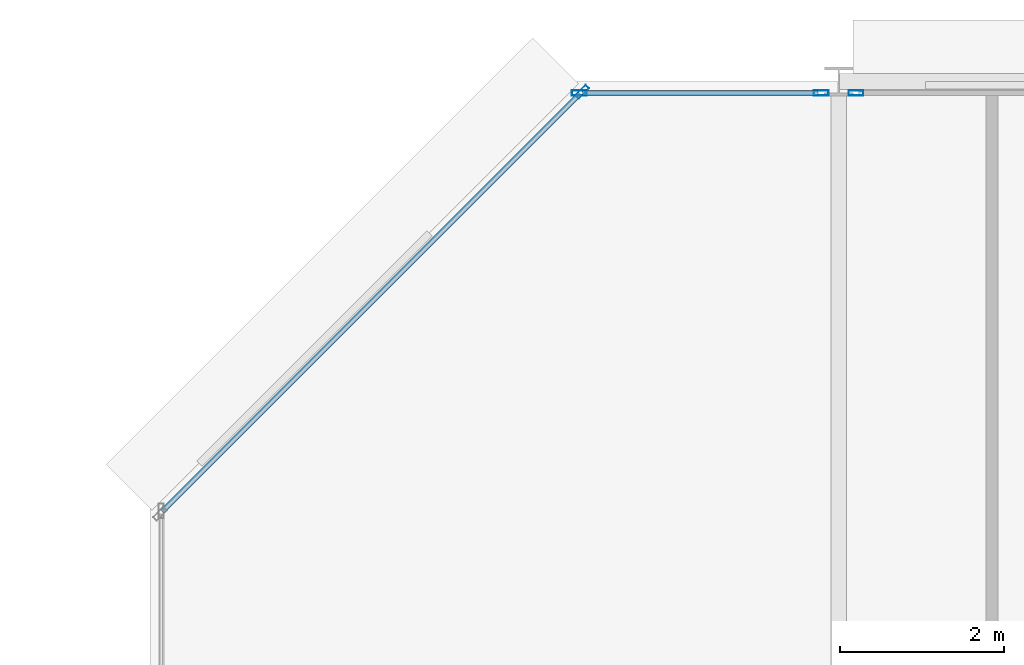
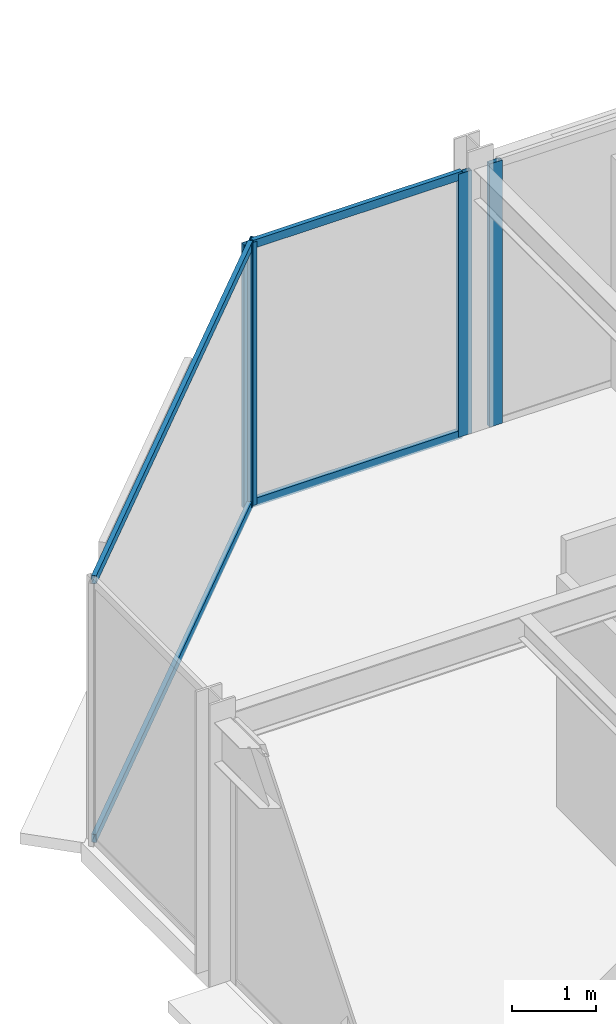
# One storey, part 20 of 29: 8 members, 3 elements without a shape of their own.
"""IFC4 building model written with IfcOpenShell, lengths in metres."""

from ifc_helpers import new_model, si_unit, direction, frame, origin, origin_2d, place, context, subcontext, project, spatial, hollow_rectangle, extrude, material, layer, layer_set, material_profile, profile_set, type_object, element, aggregate, save


model = new_model("IFC4")

# Units and contexts
model_context = context("Model", 3, precision=1e-05, world=origin(), true_north=direction((0.0, 1.0)))
body_context = subcontext(model_context, "Body", "Model", "MODEL_VIEW")
ifc_project = project(units=[si_unit("LENGTHUNIT", "METRE"), si_unit("AREAUNIT", "SQUARE_METRE"), si_unit("VOLUMEUNIT", "CUBIC_METRE"), si_unit("PLANEANGLEUNIT", "RADIAN"), si_unit("MASSUNIT", "GRAM", prefix="KILO")], contexts=[model_context])

# Site, building, storey
site_placement = place(None, origin())
site = spatial("IfcSite", under=ifc_project, at=site_placement, CompositionType="ELEMENT")
building_placement = place(site_placement, origin())
building = spatial("IfcBuilding", under=site, at=building_placement, Name="Nerrivon Quay Data Exchange", CompositionType="ELEMENT")
storey_placement = place(building_placement, frame((0.0, 0.0, 179.60009765625)))
storey = spatial("IfcBuildingStorey", under=building, at=storey_placement, Name="L42", CompositionType="ELEMENT", Elevation=179.60009765625)

# Curtain wall, member
ifc_material = material(Name="Anodised aluminium 6063-T6", Category="aluminium")
ifc_layer = layer(ifc_material, 0.195068359375)
ifc_layer_set = layer_set([ifc_layer], Name="Anodised aluminium 6063-T6")
curtain_wall_type = type_object("IfcCurtainWallType", Name="CW-SYS-06", PredefinedType="NOTDEFINED", material=ifc_layer_set)
curtain_wall_1_placement = place(storey_placement, origin())
curtain_wall_1 = element("IfcCurtainWall", 1, at=curtain_wall_1_placement, inside=storey, type_object=curtain_wall_type, Name="L42 Unitised Curtain Wall 7", PredefinedType="NOTDEFINED")
ifc_material_profile_1 = material_profile(ifc_material, hollow_rectangle(XDim=0.06494140625, YDim=0.179931640625, WallThickness=0.00341796875, at=origin_2d()), Name="ALU-MULL-180x65")
ifc_profile_set_1 = profile_set([ifc_material_profile_1], Name="Anodised aluminium 6063-T6")
member_type_1 = type_object("IfcMemberType", Name="CWM-180x65", PredefinedType="MULLION", material=ifc_profile_set_1)
member_1_placement = place(storey_placement, frame((5.2724609375, 50.2744140625, 0.0), z_axis=(0.0, 0.0, 1.0), x_axis=(-0.707106781187, 0.707106781187, 0.0)))
member_1 = element("IfcMember", 2, at=member_1_placement, type_object=member_type_1, Name="CW06 mullion 2", PredefinedType="MULLION", context=body_context, shape_type="SweptSolid", body=[
    extrude(hollow_rectangle(XDim=0.06494140625, YDim=0.179931640625, WallThickness=0.00341796875, at=origin_2d()), origin(), (0.0, 0.0, 1.0), 3.824951171875),
])

# Curtain wall, members
curtain_wall_2_placement = place(storey_placement, origin())
curtain_wall_2 = element("IfcCurtainWall", 3, at=curtain_wall_2_placement, inside=storey, type_object=curtain_wall_type, Name="L42 Unitised Curtain Wall 8", PredefinedType="NOTDEFINED")
member_2_placement = place(storey_placement, frame((5.237548828125, 50.260009765625, 0.0), z_axis=(0.0, 0.0, 1.0), x_axis=(0.0, 1.0, 0.0)))
member_2 = element("IfcMember", 4, at=member_2_placement, type_object=member_type_1, Name="CW06 mullion 1", PredefinedType="MULLION", context=body_context, shape_type="SweptSolid", body=[
    extrude(hollow_rectangle(XDim=0.06494140625, YDim=0.179931640625, WallThickness=0.00341796875, at=origin_2d()), origin(), (0.0, 0.0, 1.0), 3.824951171875),
])
member_3_placement = place(storey_placement, frame((8.1875, 50.260009765625, 0.0), z_axis=(0.0, 0.0, 1.0), x_axis=(0.0, 1.0, 0.0)))
member_3 = element("IfcMember", 5, at=member_3_placement, type_object=member_type_1, Name="CW06 mullion 2", PredefinedType="MULLION", context=body_context, shape_type="SweptSolid", body=[
    extrude(hollow_rectangle(XDim=0.06494140625, YDim=0.179931640625, WallThickness=0.00341796875, at=origin_2d()), origin(), (0.0, 0.0, 1.0), 3.824951171875),
])

# Curtain wall, member
curtain_wall_3_placement = place(storey_placement, origin())
curtain_wall_3 = element("IfcCurtainWall", 6, at=curtain_wall_3_placement, inside=storey, type_object=curtain_wall_type, Name="L42 Unitised Curtain Wall 9", PredefinedType="NOTDEFINED")
member_4_placement = place(storey_placement, frame((8.612548828125, 50.260009765625, 0.0), z_axis=(0.0, 0.0, 1.0), x_axis=(0.0, 1.0, 0.0)))
member_4 = element("IfcMember", 7, at=member_4_placement, type_object=member_type_1, Name="CW06 mullion 1", PredefinedType="MULLION", context=body_context, shape_type="SweptSolid", body=[
    extrude(hollow_rectangle(XDim=0.06494140625, YDim=0.179931640625, WallThickness=0.00341796875, at=origin_2d()), origin(), (0.0, 0.0, 1.0), 3.824951171875),
])
aggregate(curtain_wall_3, [member_4])

# Member
ifc_material_profile_2 = material_profile(ifc_material, hollow_rectangle(XDim=0.06005859375, YDim=0.1201171875, WallThickness=0.003173828125, at=origin_2d()), Name="ALU-TRAN-120x60")
ifc_profile_set_2 = profile_set([ifc_material_profile_2], Name="Anodised aluminium 6063-T6")
member_type_2 = type_object("IfcMemberType", Name="CWT-120x60", PredefinedType="USERDEFINED", material=ifc_profile_set_2)
member_5_placement = place(storey_placement, frame((0.152099609375, 45.154052734375, 0.032470703125), z_axis=(0.707089835771, 0.707123726196, 0.0), x_axis=(-0.707123726196, 0.707089835771, 0.0)))
member_5 = element("IfcMember", 8, at=member_5_placement, type_object=member_type_2, Name="CW06 transom 1.1", ObjectType="TRANSOM", PredefinedType="USERDEFINED", context=body_context, shape_type="SweptSolid", body=[
    extrude(hollow_rectangle(XDim=0.06005859375, YDim=0.1201171875, WallThickness=0.003173828125, at=origin_2d()), origin(), (0.0, 0.0, 1.0), 7.203857421875),
])

member_6_placement = place(storey_placement, frame((0.152099609375, 45.154052734375, 3.79248046875), z_axis=(0.707089835771, 0.707123726196, 0.0), x_axis=(-0.707123726196, 0.707089835771, 0.0)))
member_6 = element("IfcMember", 9, at=member_6_placement, type_object=member_type_2, Name="CW06 transom 1.2", ObjectType="TRANSOM", PredefinedType="USERDEFINED", context=body_context, shape_type="SweptSolid", body=[
    extrude(hollow_rectangle(XDim=0.06005859375, YDim=0.1201171875, WallThickness=0.003173828125, at=origin_2d()), origin(), (0.0, 0.0, 1.0), 7.203857421875),
])

aggregate(curtain_wall_1, [member_1, member_5, member_6])

member_7_placement = place(storey_placement, frame((5.27490234375, 50.260009765625, 0.032470703125), z_axis=(1.0, 0.0, 0.0), x_axis=(0.0, 1.0, 0.0)))
member_7 = element("IfcMember", 10, at=member_7_placement, type_object=member_type_2, Name="CW06 transom 1.1", ObjectType="TRANSOM", PredefinedType="USERDEFINED", context=body_context, shape_type="SweptSolid", body=[
    extrude(hollow_rectangle(XDim=0.06005859375, YDim=0.1201171875, WallThickness=0.003173828125, at=origin_2d()), origin(), (0.0, 0.0, 1.0), 2.875),
])

member_8_placement = place(storey_placement, frame((5.27490234375, 50.260009765625, 3.79248046875), z_axis=(1.0, 0.0, 0.0), x_axis=(0.0, 1.0, 0.0)))
member_8 = element("IfcMember", 11, at=member_8_placement, type_object=member_type_2, Name="CW06 transom 1.2", ObjectType="TRANSOM", PredefinedType="USERDEFINED", context=body_context, shape_type="SweptSolid", body=[
    extrude(hollow_rectangle(XDim=0.06005859375, YDim=0.1201171875, WallThickness=0.003173828125, at=origin_2d()), origin(), (0.0, 0.0, 1.0), 2.875),
])

aggregate(curtain_wall_2, [member_2, member_3, member_7, member_8])

save(model, "model.ifc")
